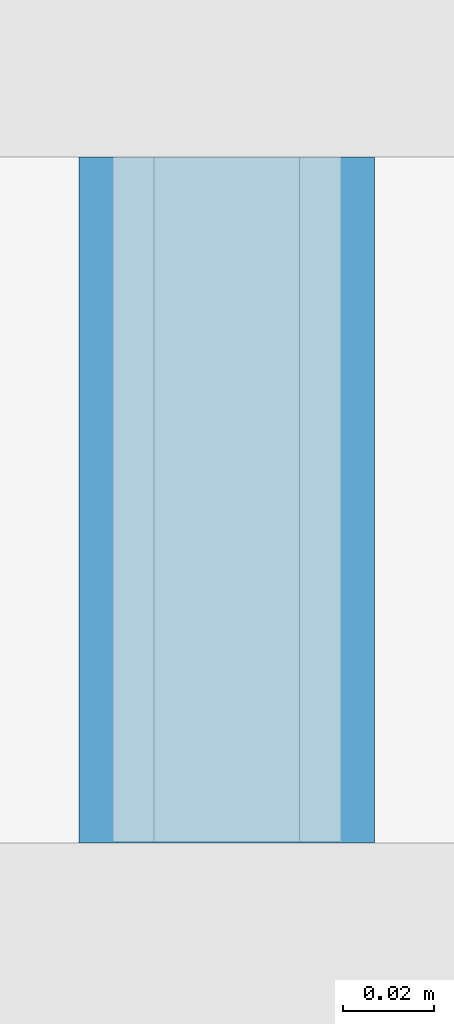
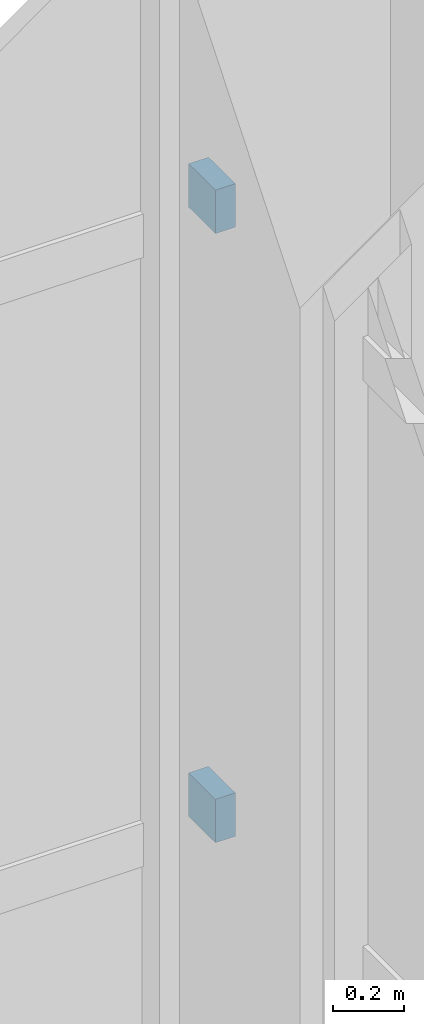
# One storey, part 7 of 17: 2 members, 1 element without a shape of its own.
"""IFC4 building model written with IfcOpenShell, lengths in metres."""

from ifc_helpers import new_model, si_unit, direction, frame, origin, origin_2d, place, context, subcontext, project, spatial, rectangle, extrude, material, material_profile, profile_set, type_object, element, aggregate, save


model = new_model("IFC4")

# Units and contexts
model_context = context("Model", 3, precision=1e-05, world=origin(), true_north=direction((0.0, 1.0)))
body_context = subcontext(model_context, "Body", "Model", "MODEL_VIEW")
ifc_project = project(units=[si_unit("LENGTHUNIT", "METRE"), si_unit("AREAUNIT", "SQUARE_METRE"), si_unit("VOLUMEUNIT", "CUBIC_METRE"), si_unit("PLANEANGLEUNIT", "RADIAN"), si_unit("MASSUNIT", "GRAM", prefix="KILO")], contexts=[model_context])

# Site, building, storey
site_placement = place(None, origin())
site = spatial("IfcSite", under=ifc_project, at=site_placement, CompositionType="ELEMENT")
building_placement = place(site_placement, origin())
building = spatial("IfcBuilding", under=site, at=building_placement, Name="Turquesa Mirador Hotel Tower", CompositionType="ELEMENT")
storey_placement = place(building_placement, frame((0.0, 0.0, 5.60009765625)))
storey = spatial("IfcBuildingStorey", under=building, at=storey_placement, Name="L01", CompositionType="ELEMENT", Elevation=5.60009765625)

# Curtain wall, members
ifc_material_1 = material(Name="Aluminium extrusion", Category="aluminium")
curtain_wall_type = type_object("IfcCurtainWallType", Name="CW-2 PODIUM CURTAIN WALL", PredefinedType="USERDEFINED", material=ifc_material_1)
curtain_wall_placement = place(storey_placement, origin())
curtain_wall = element("IfcCurtainWall", 1, at=curtain_wall_placement, inside=storey, type_object=curtain_wall_type, Name="CW-2 PODIUM CURTAIN WALL L01", ObjectType="CURTAIN WALL", PredefinedType="USERDEFINED")
ifc_material_2 = material(Name="Aluminium extrusion", Category="aluminium")
ifc_material_profile = material_profile(ifc_material_2, rectangle(XDim=0.06494140625, YDim=0.14990234375, at=origin_2d()), Name="TRANSOM 65X150")
ifc_profile_set = profile_set([ifc_material_profile], Name="Aluminium extrusion")
member_type = type_object("IfcMemberType", Name="CW TRANSOM 65X150", PredefinedType="USERDEFINED", material=ifc_profile_set)
member_1_placement = place(storey_placement, frame((82.85009765625, 70.81689453125, 1.099853515625), z_axis=(0.0, 1.0, 0.0), x_axis=(-1.0, 0.0, 0.0)))
member_1 = element("IfcMember", 2, at=member_1_placement, type_object=member_type, Name="Transom", ObjectType="TRANSOM", PredefinedType="USERDEFINED", context=body_context, shape_type="SweptSolid", body=[
    extrude(rectangle(XDim=0.06494140625, YDim=0.14990234375, at=origin_2d()), origin(), (0.0, 0.0, 1.0), 0.150634765625),
])
member_2_placement = place(storey_placement, frame((82.85009765625, 70.81689453125, 3.199951171875), z_axis=(0.0, 1.0, 0.0), x_axis=(-1.0, 0.0, 0.0)))
member_2 = element("IfcMember", 3, at=member_2_placement, type_object=member_type, Name="Transom", ObjectType="TRANSOM", PredefinedType="USERDEFINED", context=body_context, shape_type="SweptSolid", body=[
    extrude(rectangle(XDim=0.06494140625, YDim=0.14990234375, at=origin_2d()), origin(), (0.0, 0.0, 1.0), 0.150634765625),
])
aggregate(curtain_wall, [member_1, member_2])

save(model, "model.ifc")
